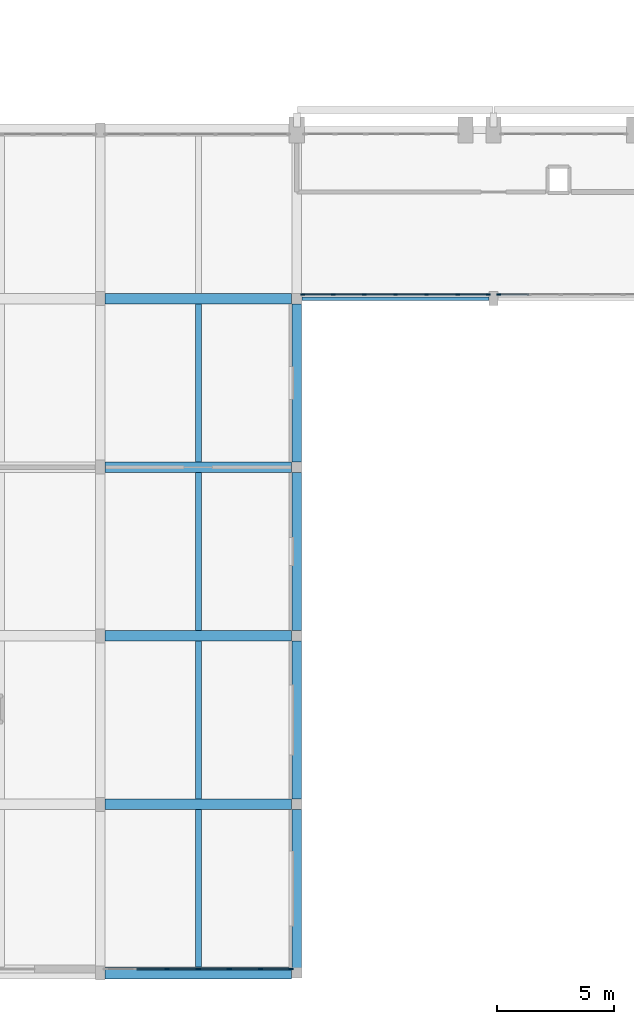
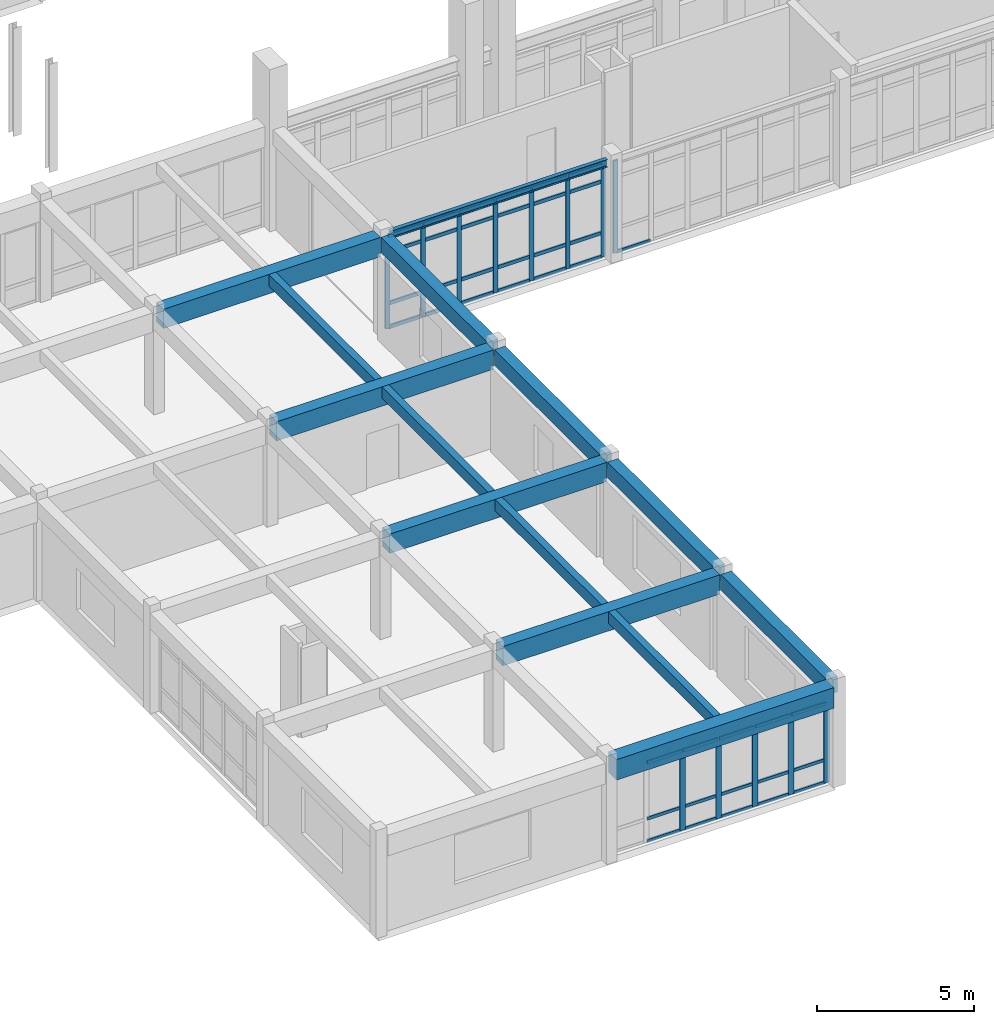
# One storey, part 79 of 147: 53 members, 14 beams, 3 elements without a shape of their own.
"""IFC4 building model written with IfcOpenShell, lengths in metres."""

from ifc_helpers import new_model, si_unit, direction, frame, origin, origin_2d, place, context, subcontext, project, spatial, rectangle, i_section, extrude, material, material_profile, profile_set, type_object, element, aggregate, save


model = new_model("IFC4")

# Units and contexts
model_context = context("Model", 3, precision=1e-05, world=origin(), true_north=direction((0.0, 1.0)))
body_context = subcontext(model_context, "Body", "Model", "MODEL_VIEW")
ifc_project = project(units=[si_unit("LENGTHUNIT", "METRE"), si_unit("AREAUNIT", "SQUARE_METRE"), si_unit("VOLUMEUNIT", "CUBIC_METRE"), si_unit("PLANEANGLEUNIT", "RADIAN"), si_unit("MASSUNIT", "GRAM", prefix="KILO")], contexts=[model_context])

# Site, building, storey
site_placement = place(None, origin())
site = spatial("IfcSite", under=ifc_project, at=site_placement, CompositionType="ELEMENT")
building_placement = place(site_placement, origin())
building = spatial("IfcBuilding", under=site, at=building_placement, Name="Malvenik Polytechnic", CompositionType="ELEMENT")
storey_placement = place(building_placement, frame((0.0, 0.0, 5.10009765625)))
storey = spatial("IfcBuildingStorey", under=building, at=storey_placement, Name="L01", CompositionType="ELEMENT", Elevation=5.10009765625)

# Curtain wall, members
ifc_material_1 = material(Name="Anodised aluminium 6060-T6", Category="aluminium")
curtain_wall_type = type_object("IfcCurtainWallType", Name="ARC-CW-CW-02", PredefinedType="NOTDEFINED", material=ifc_material_1)
curtain_wall_1_placement = place(storey_placement, origin())
curtain_wall_1 = element("IfcCurtainWall", 1, at=curtain_wall_1_placement, inside=storey, type_object=curtain_wall_type, Name="Unitised Curtain Wall CW-02 L01 #110", PredefinedType="NOTDEFINED")
ifc_material_2 = material(Name="Anodised aluminium", Category="aluminium")
ifc_material_profile_1 = material_profile(ifc_material_2, rectangle(XDim=0.06005859375, YDim=0.159912109375, at=origin_2d()), Name="ALU MULLION 60x160")
ifc_profile_set_1 = profile_set([ifc_material_profile_1], Name="Anodised aluminium")
member_type_1 = type_object("IfcMemberType", Name="ARC-CWM-160", PredefinedType="MULLION", material=ifc_profile_set_1)
member_1_placement = place(storey_placement, frame((142.572021484375, 28.969970703125, 0.0), z_axis=(0.0, 0.0, 1.0), x_axis=(0.0, -1.0, 0.0)))
member_1 = element("IfcMember", 2, at=member_1_placement, type_object=member_type_1, Name="CW-02 mullion 1", PredefinedType="MULLION", context=body_context, shape_type="SweptSolid", body=[
    extrude(rectangle(XDim=0.06005859375, YDim=0.159912109375, at=origin_2d()), origin(), (0.0, 0.0, 1.0), 3.597900390625),
])
member_2_placement = place(storey_placement, frame((141.272216796875, 28.969970703125, 0.0), z_axis=(0.0, 0.0, 1.0), x_axis=(0.0, -1.0, 0.0)))
member_2 = element("IfcMember", 3, at=member_2_placement, type_object=member_type_1, Name="CW-02 mullion 2", PredefinedType="MULLION", context=body_context, shape_type="SweptSolid", body=[
    extrude(rectangle(XDim=0.06005859375, YDim=0.159912109375, at=origin_2d()), origin(), (0.0, 0.0, 1.0), 3.597900390625),
])
member_3_placement = place(storey_placement, frame((139.9423828125, 28.969970703125, 0.0), z_axis=(0.0, 0.0, 1.0), x_axis=(0.0, -1.0, 0.0)))
member_3 = element("IfcMember", 4, at=member_3_placement, type_object=member_type_1, Name="CW-02 mullion 3", PredefinedType="MULLION", context=body_context, shape_type="SweptSolid", body=[
    extrude(rectangle(XDim=0.06005859375, YDim=0.159912109375, at=origin_2d()), origin(), (0.0, 0.0, 1.0), 3.597900390625),
])
member_4_placement = place(storey_placement, frame((138.612548828125, 28.969970703125, 0.0), z_axis=(0.0, 0.0, 1.0), x_axis=(0.0, -1.0, 0.0)))
member_4 = element("IfcMember", 5, at=member_4_placement, type_object=member_type_1, Name="CW-02 mullion 4", PredefinedType="MULLION", context=body_context, shape_type="SweptSolid", body=[
    extrude(rectangle(XDim=0.06005859375, YDim=0.159912109375, at=origin_2d()), origin(), (0.0, 0.0, 1.0), 3.597900390625),
])
member_5_placement = place(storey_placement, frame((137.28271484375, 28.969970703125, 0.0), z_axis=(0.0, 0.0, 1.0), x_axis=(0.0, -1.0, 0.0)))
member_5 = element("IfcMember", 6, at=member_5_placement, type_object=member_type_1, Name="CW-02 mullion 5", PredefinedType="MULLION", context=body_context, shape_type="SweptSolid", body=[
    extrude(rectangle(XDim=0.06005859375, YDim=0.159912109375, at=origin_2d()), origin(), (0.0, 0.0, 1.0), 3.597900390625),
])
member_6_placement = place(storey_placement, frame((135.952880859375, 28.969970703125, 0.0), z_axis=(0.0, 0.0, 1.0), x_axis=(0.0, -1.0, 0.0)))
member_6 = element("IfcMember", 7, at=member_6_placement, type_object=member_type_1, Name="CW-02 mullion 6", PredefinedType="MULLION", context=body_context, shape_type="SweptSolid", body=[
    extrude(rectangle(XDim=0.06005859375, YDim=0.159912109375, at=origin_2d()), origin(), (0.0, 0.0, 1.0), 3.597900390625),
])
member_7_placement = place(storey_placement, frame((134.653076171875, 28.969970703125, 0.0), z_axis=(0.0, 0.0, 1.0), x_axis=(0.0, -1.0, 0.0)))
member_7 = element("IfcMember", 8, at=member_7_placement, type_object=member_type_1, Name="CW-02 mullion 7", PredefinedType="MULLION", context=body_context, shape_type="SweptSolid", body=[
    extrude(rectangle(XDim=0.06005859375, YDim=0.159912109375, at=origin_2d()), origin(), (0.0, 0.0, 1.0), 3.597900390625),
])

# Curtain wall, member
curtain_wall_2_placement = place(storey_placement, origin())
curtain_wall_2 = element("IfcCurtainWall", 9, at=curtain_wall_2_placement, inside=storey, type_object=curtain_wall_type, Name="Unitised Curtain Wall CW-02 L01 #109", PredefinedType="NOTDEFINED")
ifc_material_profile_2 = material_profile(ifc_material_2, rectangle(XDim=0.06005859375, YDim=0.179931640625, at=origin_2d()), Name="ALU MULLION 60x180")
ifc_profile_set_2 = profile_set([ifc_material_profile_2], Name="Anodised aluminium")
member_type_2 = type_object("IfcMemberType", Name="ARC-CWM-180", PredefinedType="MULLION", material=ifc_profile_set_2)
member_8_placement = place(storey_placement, frame((143.028076171875, 28.969970703125, 0.0), z_axis=(0.0, 0.0, 1.0), x_axis=(0.0, -1.0, 0.0)))
member_8 = element("IfcMember", 10, at=member_8_placement, type_object=member_type_2, Name="CW-02 mullion 7", PredefinedType="MULLION", context=body_context, shape_type="SweptSolid", body=[
    extrude(rectangle(XDim=0.06005859375, YDim=0.179931640625, at=origin_2d()), origin(), (0.0, 0.0, 1.0), 3.597900390625),
])

# Curtain wall, members
curtain_wall_3_placement = place(storey_placement, origin())
curtain_wall_3 = element("IfcCurtainWall", 11, at=curtain_wall_3_placement, inside=storey, type_object=curtain_wall_type, Name="Unitised Curtain Wall CW-02 L01 #111", PredefinedType="NOTDEFINED")
ifc_material_profile_3 = material_profile(ifc_material_2, rectangle(XDim=0.06005859375, YDim=0.199951171875, at=origin_2d()), Name="ALU MULLION 60x200")
ifc_profile_set_3 = profile_set([ifc_material_profile_3], Name="Anodised aluminium")
member_type_3 = type_object("IfcMemberType", Name="ARC-CWM-200", PredefinedType="MULLION", material=ifc_profile_set_3)
member_9_placement = place(storey_placement, frame((134.14697265625, 0.169921875, 0.0), z_axis=(0.0, 0.0, 1.0), x_axis=(0.0, -1.0, 0.0)))
member_9 = element("IfcMember", 12, at=member_9_placement, type_object=member_type_3, Name="CW-02 mullion 1", PredefinedType="MULLION", context=body_context, shape_type="SweptSolid", body=[
    extrude(rectangle(XDim=0.06005859375, YDim=0.199951171875, at=origin_2d()), origin(), (0.0, 0.0, 1.0), 3.10986328125),
])
member_10_placement = place(storey_placement, frame((132.84716796875, 0.169921875, 0.0), z_axis=(0.0, 0.0, 1.0), x_axis=(0.0, -1.0, 0.0)))
member_10 = element("IfcMember", 13, at=member_10_placement, type_object=member_type_3, Name="CW-02 mullion 2", PredefinedType="MULLION", context=body_context, shape_type="SweptSolid", body=[
    extrude(rectangle(XDim=0.06005859375, YDim=0.199951171875, at=origin_2d()), origin(), (0.0, 0.0, 1.0), 3.10986328125),
])
member_11_placement = place(storey_placement, frame((131.517333984375, 0.169921875, 0.0), z_axis=(0.0, 0.0, 1.0), x_axis=(0.0, -1.0, 0.0)))
member_11 = element("IfcMember", 14, at=member_11_placement, type_object=member_type_3, Name="CW-02 mullion 3", PredefinedType="MULLION", context=body_context, shape_type="SweptSolid", body=[
    extrude(rectangle(XDim=0.06005859375, YDim=0.199951171875, at=origin_2d()), origin(), (0.0, 0.0, 1.0), 3.10986328125),
])
member_12_placement = place(storey_placement, frame((130.1875, 0.169921875, 0.0), z_axis=(0.0, 0.0, 1.0), x_axis=(0.0, -1.0, 0.0)))
member_12 = element("IfcMember", 15, at=member_12_placement, type_object=member_type_3, Name="CW-02 mullion 4", PredefinedType="MULLION", context=body_context, shape_type="SweptSolid", body=[
    extrude(rectangle(XDim=0.06005859375, YDim=0.199951171875, at=origin_2d()), origin(), (0.0, 0.0, 1.0), 3.10986328125),
])
member_13_placement = place(storey_placement, frame((128.857666015625, 0.169921875, 0.0), z_axis=(0.0, 0.0, 1.0), x_axis=(0.0, -1.0, 0.0)))
member_13 = element("IfcMember", 16, at=member_13_placement, type_object=member_type_3, Name="CW-02 mullion 5", PredefinedType="MULLION", context=body_context, shape_type="SweptSolid", body=[
    extrude(rectangle(XDim=0.06005859375, YDim=0.199951171875, at=origin_2d()), origin(), (0.0, 0.0, 1.0), 3.10986328125),
])

# Member
ifc_material_profile_4 = material_profile(ifc_material_2, rectangle(XDim=0.06005859375, YDim=0.1201171875, at=origin_2d()), Name="ALU TRANSOM 60x120")
ifc_profile_set_4 = profile_set([ifc_material_profile_4], Name="Anodised aluminium")
member_type_4 = type_object("IfcMemberType", Name="ARC-CWT-120", PredefinedType="USERDEFINED", material=ifc_profile_set_4)
member_14_placement = place(storey_placement, frame((144.302001953125, 28.969970703125, 0.02978515625), z_axis=(-1.0, 0.0, 0.0), x_axis=(0.0, -1.0, 0.0)))
member_14 = element("IfcMember", 17, at=member_14_placement, type_object=member_type_4, Name="CW-02 transom 6.1", ObjectType="TRANSOM", PredefinedType="USERDEFINED", context=body_context, shape_type="SweptSolid", body=[
    extrude(rectangle(XDim=0.06005859375, YDim=0.1201171875, at=origin_2d()), origin(), (0.0, 0.0, 1.0), 1.243896484375),
])

aggregate(curtain_wall_2, [member_8, member_14])

member_15_placement = place(storey_placement, frame((134.116943359375, 0.169921875, 0.02978515625), z_axis=(-1.0, 0.0, 0.0), x_axis=(0.0, -1.0, 0.0)))
member_15 = element("IfcMember", 18, at=member_15_placement, type_object=member_type_4, Name="CW-02 transom 1.1", ObjectType="TRANSOM", PredefinedType="USERDEFINED", context=body_context, shape_type="SweptSolid", body=[
    extrude(rectangle(XDim=0.06005859375, YDim=0.1201171875, at=origin_2d()), origin(), (0.0, 0.0, 1.0), 1.23974609375),
])

member_16_placement = place(storey_placement, frame((134.116943359375, 0.169921875, 0.89990234375), z_axis=(-1.0, 0.0, 0.0), x_axis=(0.0, -1.0, 0.0)))
member_16 = element("IfcMember", 19, at=member_16_placement, type_object=member_type_4, Name="CW-02 transom 1.2", ObjectType="TRANSOM", PredefinedType="USERDEFINED", context=body_context, shape_type="SweptSolid", body=[
    extrude(rectangle(XDim=0.06005859375, YDim=0.1201171875, at=origin_2d()), origin(), (0.0, 0.0, 1.0), 1.23974609375),
])

member_17_placement = place(storey_placement, frame((134.116943359375, 0.169921875, 3.079833984375), z_axis=(-1.0, 0.0, 0.0), x_axis=(0.0, -1.0, 0.0)))
member_17 = element("IfcMember", 20, at=member_17_placement, type_object=member_type_4, Name="CW-02 transom 1.3", ObjectType="TRANSOM", PredefinedType="USERDEFINED", context=body_context, shape_type="SweptSolid", body=[
    extrude(rectangle(XDim=0.06005859375, YDim=0.1201171875, at=origin_2d()), origin(), (0.0, 0.0, 1.0), 1.23974609375),
])

member_18_placement = place(storey_placement, frame((132.817138671875, 0.169921875, 0.02978515625), z_axis=(-1.0, 0.0, 0.0), x_axis=(0.0, -1.0, 0.0)))
member_18 = element("IfcMember", 21, at=member_18_placement, type_object=member_type_4, Name="CW-02 transom 2.1", ObjectType="TRANSOM", PredefinedType="USERDEFINED", context=body_context, shape_type="SweptSolid", body=[
    extrude(rectangle(XDim=0.06005859375, YDim=0.1201171875, at=origin_2d()), origin(), (0.0, 0.0, 1.0), 1.269775390625),
])

member_19_placement = place(storey_placement, frame((132.817138671875, 0.169921875, 0.89990234375), z_axis=(-1.0, 0.0, 0.0), x_axis=(0.0, -1.0, 0.0)))
member_19 = element("IfcMember", 22, at=member_19_placement, type_object=member_type_4, Name="CW-02 transom 2.2", ObjectType="TRANSOM", PredefinedType="USERDEFINED", context=body_context, shape_type="SweptSolid", body=[
    extrude(rectangle(XDim=0.06005859375, YDim=0.1201171875, at=origin_2d()), origin(), (0.0, 0.0, 1.0), 1.269775390625),
])

member_20_placement = place(storey_placement, frame((132.817138671875, 0.169921875, 3.079833984375), z_axis=(-1.0, 0.0, 0.0), x_axis=(0.0, -1.0, 0.0)))
member_20 = element("IfcMember", 23, at=member_20_placement, type_object=member_type_4, Name="CW-02 transom 2.3", ObjectType="TRANSOM", PredefinedType="USERDEFINED", context=body_context, shape_type="SweptSolid", body=[
    extrude(rectangle(XDim=0.06005859375, YDim=0.1201171875, at=origin_2d()), origin(), (0.0, 0.0, 1.0), 1.269775390625),
])

member_21_placement = place(storey_placement, frame((131.4873046875, 0.169921875, 0.02978515625), z_axis=(-1.0, 0.0, 0.0), x_axis=(0.0, -1.0, 0.0)))
member_21 = element("IfcMember", 24, at=member_21_placement, type_object=member_type_4, Name="CW-02 transom 3.1", ObjectType="TRANSOM", PredefinedType="USERDEFINED", context=body_context, shape_type="SweptSolid", body=[
    extrude(rectangle(XDim=0.06005859375, YDim=0.1201171875, at=origin_2d()), origin(), (0.0, 0.0, 1.0), 1.269775390625),
])

member_22_placement = place(storey_placement, frame((131.4873046875, 0.169921875, 0.89990234375), z_axis=(-1.0, 0.0, 0.0), x_axis=(0.0, -1.0, 0.0)))
member_22 = element("IfcMember", 25, at=member_22_placement, type_object=member_type_4, Name="CW-02 transom 3.2", ObjectType="TRANSOM", PredefinedType="USERDEFINED", context=body_context, shape_type="SweptSolid", body=[
    extrude(rectangle(XDim=0.06005859375, YDim=0.1201171875, at=origin_2d()), origin(), (0.0, 0.0, 1.0), 1.269775390625),
])

member_23_placement = place(storey_placement, frame((131.4873046875, 0.169921875, 3.079833984375), z_axis=(-1.0, 0.0, 0.0), x_axis=(0.0, -1.0, 0.0)))
member_23 = element("IfcMember", 26, at=member_23_placement, type_object=member_type_4, Name="CW-02 transom 3.3", ObjectType="TRANSOM", PredefinedType="USERDEFINED", context=body_context, shape_type="SweptSolid", body=[
    extrude(rectangle(XDim=0.06005859375, YDim=0.1201171875, at=origin_2d()), origin(), (0.0, 0.0, 1.0), 1.269775390625),
])

member_24_placement = place(storey_placement, frame((130.157470703125, 0.169921875, 0.02978515625), z_axis=(-1.0, 0.0, 0.0), x_axis=(0.0, -1.0, 0.0)))
member_24 = element("IfcMember", 27, at=member_24_placement, type_object=member_type_4, Name="CW-02 transom 4.1", ObjectType="TRANSOM", PredefinedType="USERDEFINED", context=body_context, shape_type="SweptSolid", body=[
    extrude(rectangle(XDim=0.06005859375, YDim=0.1201171875, at=origin_2d()), origin(), (0.0, 0.0, 1.0), 1.269775390625),
])

member_25_placement = place(storey_placement, frame((130.157470703125, 0.169921875, 0.89990234375), z_axis=(-1.0, 0.0, 0.0), x_axis=(0.0, -1.0, 0.0)))
member_25 = element("IfcMember", 28, at=member_25_placement, type_object=member_type_4, Name="CW-02 transom 4.2", ObjectType="TRANSOM", PredefinedType="USERDEFINED", context=body_context, shape_type="SweptSolid", body=[
    extrude(rectangle(XDim=0.06005859375, YDim=0.1201171875, at=origin_2d()), origin(), (0.0, 0.0, 1.0), 1.269775390625),
])

member_26_placement = place(storey_placement, frame((130.157470703125, 0.169921875, 3.079833984375), z_axis=(-1.0, 0.0, 0.0), x_axis=(0.0, -1.0, 0.0)))
member_26 = element("IfcMember", 29, at=member_26_placement, type_object=member_type_4, Name="CW-02 transom 4.3", ObjectType="TRANSOM", PredefinedType="USERDEFINED", context=body_context, shape_type="SweptSolid", body=[
    extrude(rectangle(XDim=0.06005859375, YDim=0.1201171875, at=origin_2d()), origin(), (0.0, 0.0, 1.0), 1.269775390625),
])

member_27_placement = place(storey_placement, frame((128.82763671875, 0.169921875, 0.02978515625), z_axis=(-1.0, 0.0, 0.0), x_axis=(0.0, -1.0, 0.0)))
member_27 = element("IfcMember", 30, at=member_27_placement, type_object=member_type_4, Name="CW-02 transom 5.1", ObjectType="TRANSOM", PredefinedType="USERDEFINED", context=body_context, shape_type="SweptSolid", body=[
    extrude(rectangle(XDim=0.06005859375, YDim=0.1201171875, at=origin_2d()), origin(), (0.0, 0.0, 1.0), 1.269775390625),
])

member_28_placement = place(storey_placement, frame((128.82763671875, 0.169921875, 0.89990234375), z_axis=(-1.0, 0.0, 0.0), x_axis=(0.0, -1.0, 0.0)))
member_28 = element("IfcMember", 31, at=member_28_placement, type_object=member_type_4, Name="CW-02 transom 5.2", ObjectType="TRANSOM", PredefinedType="USERDEFINED", context=body_context, shape_type="SweptSolid", body=[
    extrude(rectangle(XDim=0.06005859375, YDim=0.1201171875, at=origin_2d()), origin(), (0.0, 0.0, 1.0), 1.269775390625),
])

member_29_placement = place(storey_placement, frame((128.82763671875, 0.169921875, 3.079833984375), z_axis=(-1.0, 0.0, 0.0), x_axis=(0.0, -1.0, 0.0)))
member_29 = element("IfcMember", 32, at=member_29_placement, type_object=member_type_4, Name="CW-02 transom 5.3", ObjectType="TRANSOM", PredefinedType="USERDEFINED", context=body_context, shape_type="SweptSolid", body=[
    extrude(rectangle(XDim=0.06005859375, YDim=0.1201171875, at=origin_2d()), origin(), (0.0, 0.0, 1.0), 1.269775390625),
])

aggregate(curtain_wall_3, [member_9, member_10, member_11, member_12, member_13, member_15, member_16, member_17, member_18, member_19, member_20, member_21, member_22, member_23, member_24, member_25, member_26, member_27, member_28, member_29])

ifc_material_profile_5 = material_profile(ifc_material_2, rectangle(XDim=0.06005859375, YDim=0.139892578125, at=origin_2d()), Name="ALU TRANSOM 60x140")
ifc_profile_set_5 = profile_set([ifc_material_profile_5], Name="Anodised aluminium")
member_type_5 = type_object("IfcMemberType", Name="ARC-CWT-140", PredefinedType="USERDEFINED", material=ifc_profile_set_5)
member_30_placement = place(storey_placement, frame((142.5419921875, 28.969970703125, 0.02978515625), z_axis=(-1.0, 0.0, 0.0), x_axis=(0.0, -1.0, 0.0)))
member_30 = element("IfcMember", 33, at=member_30_placement, type_object=member_type_5, Name="CW-02 transom 1.1", ObjectType="TRANSOM", PredefinedType="USERDEFINED", context=body_context, shape_type="SweptSolid", body=[
    extrude(rectangle(XDim=0.06005859375, YDim=0.139892578125, at=origin_2d()), origin(), (0.0, 0.0, 1.0), 1.23974609375),
])

member_31_placement = place(storey_placement, frame((142.5419921875, 28.969970703125, 0.949951171875), z_axis=(-1.0, 0.0, 0.0), x_axis=(0.0, -1.0, 0.0)))
member_31 = element("IfcMember", 34, at=member_31_placement, type_object=member_type_5, Name="CW-02 transom 1.2", ObjectType="TRANSOM", PredefinedType="USERDEFINED", context=body_context, shape_type="SweptSolid", body=[
    extrude(rectangle(XDim=0.06005859375, YDim=0.139892578125, at=origin_2d()), origin(), (0.0, 0.0, 1.0), 1.23974609375),
])

member_32_placement = place(storey_placement, frame((142.5419921875, 28.969970703125, 2.947998046875), z_axis=(-1.0, 0.0, 0.0), x_axis=(0.0, -1.0, 0.0)))
member_32 = element("IfcMember", 35, at=member_32_placement, type_object=member_type_5, Name="CW-02 transom 1.3", ObjectType="TRANSOM", PredefinedType="USERDEFINED", context=body_context, shape_type="SweptSolid", body=[
    extrude(rectangle(XDim=0.06005859375, YDim=0.139892578125, at=origin_2d()), origin(), (0.0, 0.0, 1.0), 1.23974609375),
])

member_33_placement = place(storey_placement, frame((142.5419921875, 28.969970703125, 3.56787109375), z_axis=(-1.0, 0.0, 0.0), x_axis=(0.0, -1.0, 0.0)))
member_33 = element("IfcMember", 36, at=member_33_placement, type_object=member_type_5, Name="CW-02 transom 1.4", ObjectType="TRANSOM", PredefinedType="USERDEFINED", context=body_context, shape_type="SweptSolid", body=[
    extrude(rectangle(XDim=0.06005859375, YDim=0.139892578125, at=origin_2d()), origin(), (0.0, 0.0, 1.0), 1.23974609375),
])

member_34_placement = place(storey_placement, frame((141.2421875, 28.969970703125, 0.02978515625), z_axis=(-1.0, 0.0, 0.0), x_axis=(0.0, -1.0, 0.0)))
member_34 = element("IfcMember", 37, at=member_34_placement, type_object=member_type_5, Name="CW-02 transom 2.1", ObjectType="TRANSOM", PredefinedType="USERDEFINED", context=body_context, shape_type="SweptSolid", body=[
    extrude(rectangle(XDim=0.06005859375, YDim=0.139892578125, at=origin_2d()), origin(), (0.0, 0.0, 1.0), 1.269775390625),
])

member_35_placement = place(storey_placement, frame((141.2421875, 28.969970703125, 0.949951171875), z_axis=(-1.0, 0.0, 0.0), x_axis=(0.0, -1.0, 0.0)))
member_35 = element("IfcMember", 38, at=member_35_placement, type_object=member_type_5, Name="CW-02 transom 2.2", ObjectType="TRANSOM", PredefinedType="USERDEFINED", context=body_context, shape_type="SweptSolid", body=[
    extrude(rectangle(XDim=0.06005859375, YDim=0.139892578125, at=origin_2d()), origin(), (0.0, 0.0, 1.0), 1.269775390625),
])

member_36_placement = place(storey_placement, frame((141.2421875, 28.969970703125, 2.947998046875), z_axis=(-1.0, 0.0, 0.0), x_axis=(0.0, -1.0, 0.0)))
member_36 = element("IfcMember", 39, at=member_36_placement, type_object=member_type_5, Name="CW-02 transom 2.3", ObjectType="TRANSOM", PredefinedType="USERDEFINED", context=body_context, shape_type="SweptSolid", body=[
    extrude(rectangle(XDim=0.06005859375, YDim=0.139892578125, at=origin_2d()), origin(), (0.0, 0.0, 1.0), 1.269775390625),
])

member_37_placement = place(storey_placement, frame((141.2421875, 28.969970703125, 3.56787109375), z_axis=(-1.0, 0.0, 0.0), x_axis=(0.0, -1.0, 0.0)))
member_37 = element("IfcMember", 40, at=member_37_placement, type_object=member_type_5, Name="CW-02 transom 2.4", ObjectType="TRANSOM", PredefinedType="USERDEFINED", context=body_context, shape_type="SweptSolid", body=[
    extrude(rectangle(XDim=0.06005859375, YDim=0.139892578125, at=origin_2d()), origin(), (0.0, 0.0, 1.0), 1.269775390625),
])

member_38_placement = place(storey_placement, frame((139.912353515625, 28.969970703125, 0.02978515625), z_axis=(-1.0, 0.0, 0.0), x_axis=(0.0, -1.0, 0.0)))
member_38 = element("IfcMember", 41, at=member_38_placement, type_object=member_type_5, Name="CW-02 transom 3.1", ObjectType="TRANSOM", PredefinedType="USERDEFINED", context=body_context, shape_type="SweptSolid", body=[
    extrude(rectangle(XDim=0.06005859375, YDim=0.139892578125, at=origin_2d()), origin(), (0.0, 0.0, 1.0), 1.269775390625),
])

member_39_placement = place(storey_placement, frame((139.912353515625, 28.969970703125, 0.949951171875), z_axis=(-1.0, 0.0, 0.0), x_axis=(0.0, -1.0, 0.0)))
member_39 = element("IfcMember", 42, at=member_39_placement, type_object=member_type_5, Name="CW-02 transom 3.2", ObjectType="TRANSOM", PredefinedType="USERDEFINED", context=body_context, shape_type="SweptSolid", body=[
    extrude(rectangle(XDim=0.06005859375, YDim=0.139892578125, at=origin_2d()), origin(), (0.0, 0.0, 1.0), 1.269775390625),
])

member_40_placement = place(storey_placement, frame((139.912353515625, 28.969970703125, 2.947998046875), z_axis=(-1.0, 0.0, 0.0), x_axis=(0.0, -1.0, 0.0)))
member_40 = element("IfcMember", 43, at=member_40_placement, type_object=member_type_5, Name="CW-02 transom 3.3", ObjectType="TRANSOM", PredefinedType="USERDEFINED", context=body_context, shape_type="SweptSolid", body=[
    extrude(rectangle(XDim=0.06005859375, YDim=0.139892578125, at=origin_2d()), origin(), (0.0, 0.0, 1.0), 1.269775390625),
])

member_41_placement = place(storey_placement, frame((139.912353515625, 28.969970703125, 3.56787109375), z_axis=(-1.0, 0.0, 0.0), x_axis=(0.0, -1.0, 0.0)))
member_41 = element("IfcMember", 44, at=member_41_placement, type_object=member_type_5, Name="CW-02 transom 3.4", ObjectType="TRANSOM", PredefinedType="USERDEFINED", context=body_context, shape_type="SweptSolid", body=[
    extrude(rectangle(XDim=0.06005859375, YDim=0.139892578125, at=origin_2d()), origin(), (0.0, 0.0, 1.0), 1.269775390625),
])

member_42_placement = place(storey_placement, frame((138.58251953125, 28.969970703125, 0.02978515625), z_axis=(-1.0, 0.0, 0.0), x_axis=(0.0, -1.0, 0.0)))
member_42 = element("IfcMember", 45, at=member_42_placement, type_object=member_type_5, Name="CW-02 transom 4.1", ObjectType="TRANSOM", PredefinedType="USERDEFINED", context=body_context, shape_type="SweptSolid", body=[
    extrude(rectangle(XDim=0.06005859375, YDim=0.139892578125, at=origin_2d()), origin(), (0.0, 0.0, 1.0), 1.269775390625),
])

member_43_placement = place(storey_placement, frame((138.58251953125, 28.969970703125, 0.949951171875), z_axis=(-1.0, 0.0, 0.0), x_axis=(0.0, -1.0, 0.0)))
member_43 = element("IfcMember", 46, at=member_43_placement, type_object=member_type_5, Name="CW-02 transom 4.2", ObjectType="TRANSOM", PredefinedType="USERDEFINED", context=body_context, shape_type="SweptSolid", body=[
    extrude(rectangle(XDim=0.06005859375, YDim=0.139892578125, at=origin_2d()), origin(), (0.0, 0.0, 1.0), 1.269775390625),
])

member_44_placement = place(storey_placement, frame((138.58251953125, 28.969970703125, 2.947998046875), z_axis=(-1.0, 0.0, 0.0), x_axis=(0.0, -1.0, 0.0)))
member_44 = element("IfcMember", 47, at=member_44_placement, type_object=member_type_5, Name="CW-02 transom 4.3", ObjectType="TRANSOM", PredefinedType="USERDEFINED", context=body_context, shape_type="SweptSolid", body=[
    extrude(rectangle(XDim=0.06005859375, YDim=0.139892578125, at=origin_2d()), origin(), (0.0, 0.0, 1.0), 1.269775390625),
])

member_45_placement = place(storey_placement, frame((138.58251953125, 28.969970703125, 3.56787109375), z_axis=(-1.0, 0.0, 0.0), x_axis=(0.0, -1.0, 0.0)))
member_45 = element("IfcMember", 48, at=member_45_placement, type_object=member_type_5, Name="CW-02 transom 4.4", ObjectType="TRANSOM", PredefinedType="USERDEFINED", context=body_context, shape_type="SweptSolid", body=[
    extrude(rectangle(XDim=0.06005859375, YDim=0.139892578125, at=origin_2d()), origin(), (0.0, 0.0, 1.0), 1.269775390625),
])

member_46_placement = place(storey_placement, frame((137.252685546875, 28.969970703125, 0.02978515625), z_axis=(-1.0, 0.0, 0.0), x_axis=(0.0, -1.0, 0.0)))
member_46 = element("IfcMember", 49, at=member_46_placement, type_object=member_type_5, Name="CW-02 transom 5.1", ObjectType="TRANSOM", PredefinedType="USERDEFINED", context=body_context, shape_type="SweptSolid", body=[
    extrude(rectangle(XDim=0.06005859375, YDim=0.139892578125, at=origin_2d()), origin(), (0.0, 0.0, 1.0), 1.269775390625),
])

member_47_placement = place(storey_placement, frame((137.252685546875, 28.969970703125, 0.949951171875), z_axis=(-1.0, 0.0, 0.0), x_axis=(0.0, -1.0, 0.0)))
member_47 = element("IfcMember", 50, at=member_47_placement, type_object=member_type_5, Name="CW-02 transom 5.2", ObjectType="TRANSOM", PredefinedType="USERDEFINED", context=body_context, shape_type="SweptSolid", body=[
    extrude(rectangle(XDim=0.06005859375, YDim=0.139892578125, at=origin_2d()), origin(), (0.0, 0.0, 1.0), 1.269775390625),
])

member_48_placement = place(storey_placement, frame((137.252685546875, 28.969970703125, 2.947998046875), z_axis=(-1.0, 0.0, 0.0), x_axis=(0.0, -1.0, 0.0)))
member_48 = element("IfcMember", 51, at=member_48_placement, type_object=member_type_5, Name="CW-02 transom 5.3", ObjectType="TRANSOM", PredefinedType="USERDEFINED", context=body_context, shape_type="SweptSolid", body=[
    extrude(rectangle(XDim=0.06005859375, YDim=0.139892578125, at=origin_2d()), origin(), (0.0, 0.0, 1.0), 1.269775390625),
])

member_49_placement = place(storey_placement, frame((137.252685546875, 28.969970703125, 3.56787109375), z_axis=(-1.0, 0.0, 0.0), x_axis=(0.0, -1.0, 0.0)))
member_49 = element("IfcMember", 52, at=member_49_placement, type_object=member_type_5, Name="CW-02 transom 5.4", ObjectType="TRANSOM", PredefinedType="USERDEFINED", context=body_context, shape_type="SweptSolid", body=[
    extrude(rectangle(XDim=0.06005859375, YDim=0.139892578125, at=origin_2d()), origin(), (0.0, 0.0, 1.0), 1.269775390625),
])

member_50_placement = place(storey_placement, frame((135.9228515625, 28.969970703125, 0.02978515625), z_axis=(-1.0, 0.0, 0.0), x_axis=(0.0, -1.0, 0.0)))
member_50 = element("IfcMember", 53, at=member_50_placement, type_object=member_type_5, Name="CW-02 transom 6.1", ObjectType="TRANSOM", PredefinedType="USERDEFINED", context=body_context, shape_type="SweptSolid", body=[
    extrude(rectangle(XDim=0.06005859375, YDim=0.139892578125, at=origin_2d()), origin(), (0.0, 0.0, 1.0), 1.23974609375),
])

member_51_placement = place(storey_placement, frame((135.9228515625, 28.969970703125, 0.949951171875), z_axis=(-1.0, 0.0, 0.0), x_axis=(0.0, -1.0, 0.0)))
member_51 = element("IfcMember", 54, at=member_51_placement, type_object=member_type_5, Name="CW-02 transom 6.2", ObjectType="TRANSOM", PredefinedType="USERDEFINED", context=body_context, shape_type="SweptSolid", body=[
    extrude(rectangle(XDim=0.06005859375, YDim=0.139892578125, at=origin_2d()), origin(), (0.0, 0.0, 1.0), 1.23974609375),
])

member_52_placement = place(storey_placement, frame((135.9228515625, 28.969970703125, 2.947998046875), z_axis=(-1.0, 0.0, 0.0), x_axis=(0.0, -1.0, 0.0)))
member_52 = element("IfcMember", 55, at=member_52_placement, type_object=member_type_5, Name="CW-02 transom 6.3", ObjectType="TRANSOM", PredefinedType="USERDEFINED", context=body_context, shape_type="SweptSolid", body=[
    extrude(rectangle(XDim=0.06005859375, YDim=0.139892578125, at=origin_2d()), origin(), (0.0, 0.0, 1.0), 1.23974609375),
])

member_53_placement = place(storey_placement, frame((135.9228515625, 28.969970703125, 3.56787109375), z_axis=(-1.0, 0.0, 0.0), x_axis=(0.0, -1.0, 0.0)))
member_53 = element("IfcMember", 56, at=member_53_placement, type_object=member_type_5, Name="CW-02 transom 6.4", ObjectType="TRANSOM", PredefinedType="USERDEFINED", context=body_context, shape_type="SweptSolid", body=[
    extrude(rectangle(XDim=0.06005859375, YDim=0.139892578125, at=origin_2d()), origin(), (0.0, 0.0, 1.0), 1.23974609375),
])

aggregate(curtain_wall_1, [member_1, member_2, member_3, member_4, member_5, member_6, member_7, member_30, member_31, member_32, member_33, member_34, member_35, member_36, member_37, member_38, member_39, member_40, member_41, member_42, member_43, member_44, member_45, member_46, member_47, member_48, member_49, member_50, member_51, member_52, member_53])

# Beams
ifc_material_3 = material(Name="Concrete C35/45", Category="concrete")
ifc_material_profile_6 = material_profile(ifc_material_3, rectangle(XDim=0.449951171875, YDim=0.75, at=origin_2d()), Name="RC BM 450x750")
ifc_profile_set_6 = profile_set([ifc_material_profile_6], Name="Concrete C35/45")
beam_type_1 = type_object("IfcBeamType", Name="STR-BM-B-03", PredefinedType="BEAM", material=ifc_profile_set_6)
for number, where, z_axis, x_axis, name in (
    (57, (126.197998046875, 7.199951171875, 3.544921875), (1.0, 0.0, 0.0), (0.0, 1.0, 0.0), "Primary Beam B-03 L01 #966"),
    (58, (126.197998046875, 14.39990234375, 3.544921875), (1.0, 0.0, 0.0), (0.0, 1.0, 0.0), "Primary Beam B-03 L01 #968"),
    (59, (126.197998046875, 21.60009765625, 3.544921875), (1.0, 0.0, 0.0), (0.0, 1.0, 0.0), "Primary Beam B-03 L01 #978"),
    (60, (126.197998046875, 28.800048828125, 3.544921875), (1.0, 0.0, 0.0), (0.0, 1.0, 0.0), "Primary Beam B-03 L01 #986"),
):
    element("IfcBeam", number, at=place(storey_placement, frame(where, z_axis=z_axis, x_axis=x_axis)), inside=storey, type_object=beam_type_1, Name=name, PredefinedType="BEAM", context=body_context, shape_type="SweptSolid", body=[
        extrude(rectangle(XDim=0.449951171875, YDim=0.75, at=origin_2d()), origin(), (0.0, 0.0, 1.0), 7.97900390625),
    ])
ifc_material_profile_7 = material_profile(ifc_material_3, rectangle(XDim=0.39990234375, YDim=0.60009765625, at=origin_2d()), Name="RC BM 400x600")
ifc_profile_set_7 = profile_set([ifc_material_profile_7], Name="Concrete C35/45")
beam_type_2 = type_object("IfcBeamType", Name="STR-BM-B-06", PredefinedType="BEAM", material=ifc_profile_set_7)
beam_1_placement = place(storey_placement, frame((134.39990234375, 0.222900390625, 3.619873046875), z_axis=(0.0, 1.0, 0.0), x_axis=(-1.0, 0.0, 0.0)))
element("IfcBeam", 61, at=beam_1_placement, inside=storey, type_object=beam_type_2, Name="Transverse Beam B-06 L01 #1239", PredefinedType="BEAM", context=body_context, shape_type="SweptSolid", body=[
    extrude(rectangle(XDim=0.39990234375, YDim=0.60009765625, at=origin_2d()), origin(), (0.0, 0.0, 1.0), 6.754150390625),
])
for number, where, z_axis, x_axis, name in (
    (62, (134.39990234375, 7.423095703125, 3.619873046875), (0.0, 1.0, 0.0), (-1.0, 0.0, 0.0), "Transverse Beam B-06 L01 #1240"),
    (63, (134.39990234375, 14.623046875, 3.619873046875), (0.0, 1.0, 0.0), (-1.0, 0.0, 0.0), "Transverse Beam B-06 L01 #1241"),
    (64, (134.39990234375, 21.822998046875, 3.619873046875), (0.0, 1.0, 0.0), (-1.0, 0.0, 0.0), "Transverse Beam B-06 L01 #1242"),
):
    element("IfcBeam", number, at=place(storey_placement, frame(where, z_axis=z_axis, x_axis=x_axis)), inside=storey, type_object=beam_type_2, Name=name, PredefinedType="BEAM", context=body_context, shape_type="SweptSolid", body=[
        extrude(rectangle(XDim=0.39990234375, YDim=0.60009765625, at=origin_2d()), origin(), (0.0, 0.0, 1.0), 6.75390625),
    ])
ifc_material_4 = material(Name="Concrete C30/37", Category="concrete")
ifc_material_profile_8 = material_profile(ifc_material_4, rectangle(XDim=0.25, YDim=0.449951171875, at=origin_2d()), Name="RC JST 250x450")
ifc_profile_set_8 = profile_set([ifc_material_profile_8], Name="Concrete C30/37")
beam_type_3 = type_object("IfcBeamType", Name="STR-BM-J-02", PredefinedType="JOIST", material=ifc_profile_set_8)
beam_2_placement = place(storey_placement, frame((130.199951171875, 0.258056640625, 3.69482421875), z_axis=(0.0, 1.0, 0.0), x_axis=(-1.0, 0.0, 0.0)))
element("IfcBeam", 65, at=beam_2_placement, inside=storey, type_object=beam_type_3, Name="Secondary Rib Joist J-02 L01 #1320", PredefinedType="JOIST", context=body_context, shape_type="SweptSolid", body=[
    extrude(rectangle(XDim=0.25, YDim=0.449951171875, at=origin_2d()), origin(), (0.0, 0.0, 1.0), 6.718994140625),
])
for number, where, z_axis, x_axis, name in (
    (66, (130.199951171875, 7.423095703125, 3.69482421875), (0.0, 1.0, 0.0), (-1.0, 0.0, 0.0), "Secondary Rib Joist J-02 L01 #1321"),
    (67, (130.199951171875, 14.623046875, 3.69482421875), (0.0, 1.0, 0.0), (-1.0, 0.0, 0.0), "Secondary Rib Joist J-02 L01 #1322"),
    (68, (130.199951171875, 21.822998046875, 3.69482421875), (0.0, 1.0, 0.0), (-1.0, 0.0, 0.0), "Secondary Rib Joist J-02 L01 #1323"),
):
    element("IfcBeam", number, at=place(storey_placement, frame(where, z_axis=z_axis, x_axis=x_axis)), inside=storey, type_object=beam_type_3, Name=name, PredefinedType="JOIST", context=body_context, shape_type="SweptSolid", body=[
        extrude(rectangle(XDim=0.25, YDim=0.449951171875, at=origin_2d()), origin(), (0.0, 0.0, 1.0), 6.75390625),
    ])
ifc_material_5 = material(Name="Steel S355", Category="steel")
ifc_material_profile_9 = material_profile(ifc_material_5, i_section(OverallWidth=0.14990234375, OverallDepth=0.300048828125, WebThickness=0.007080078125, FlangeThickness=0.0107421875, FilletRadius=0.014892578125, at=origin_2d()), Name="IPE 300")
ifc_profile_set_9 = profile_set([ifc_material_profile_9], Name="Steel S355")
beam_type_4 = type_object("IfcBeamType", Name="STR-BM-SB-09", PredefinedType="JOIST", material=ifc_profile_set_9)
beam_3_placement = place(storey_placement, frame((134.623046875, 28.800048828125, 3.7578125), z_axis=(1.0, 0.0, 0.0), x_axis=(0.0, 1.0, 0.0)))
element("IfcBeam", 69, at=beam_3_placement, inside=storey, type_object=beam_type_4, Name="Beam SB-09 #1", PredefinedType="JOIST", context=body_context, shape_type="SweptSolid", body=[
    extrude(i_section(OverallWidth=0.14990234375, OverallDepth=0.300048828125, WebThickness=0.007080078125, FlangeThickness=0.0107421875, FilletRadius=0.014892578125, at=origin_2d()), origin(), (0.0, 0.0, 1.0), 7.97900390625),
])
ifc_material_6 = material(Name="Precast concrete C40/50", Category="concrete")
ifc_material_profile_10 = material_profile(ifc_material_6, rectangle(XDim=0.52001953125, YDim=0.800048828125, at=origin_2d()), Name="PC SPN 520x800")
ifc_profile_set_10 = profile_set([ifc_material_profile_10], Name="Precast concrete C40/50")
beam_type_5 = type_object("IfcBeamType", Name="STR-BM-SP-01", PredefinedType="SPANDREL", material=ifc_profile_set_10)
beam_4_placement = place(storey_placement, frame((126.197998046875, 0.0, 3.52001953125), z_axis=(1.0, 0.0, 0.0), x_axis=(0.0, 1.0, 0.0)))
element("IfcBeam", 70, at=beam_4_placement, inside=storey, type_object=beam_type_5, Name="Primary Beam SP-01 L01 #964", PredefinedType="SPANDREL", context=body_context, shape_type="SweptSolid", body=[
    extrude(rectangle(XDim=0.52001953125, YDim=0.800048828125, at=origin_2d()), origin(), (0.0, 0.0, 1.0), 7.97900390625),
])

save(model, "model.ifc")
